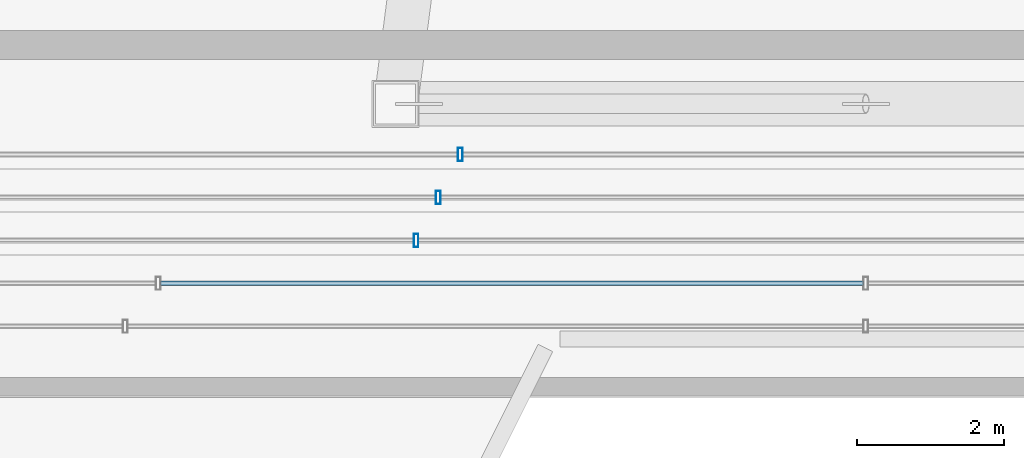
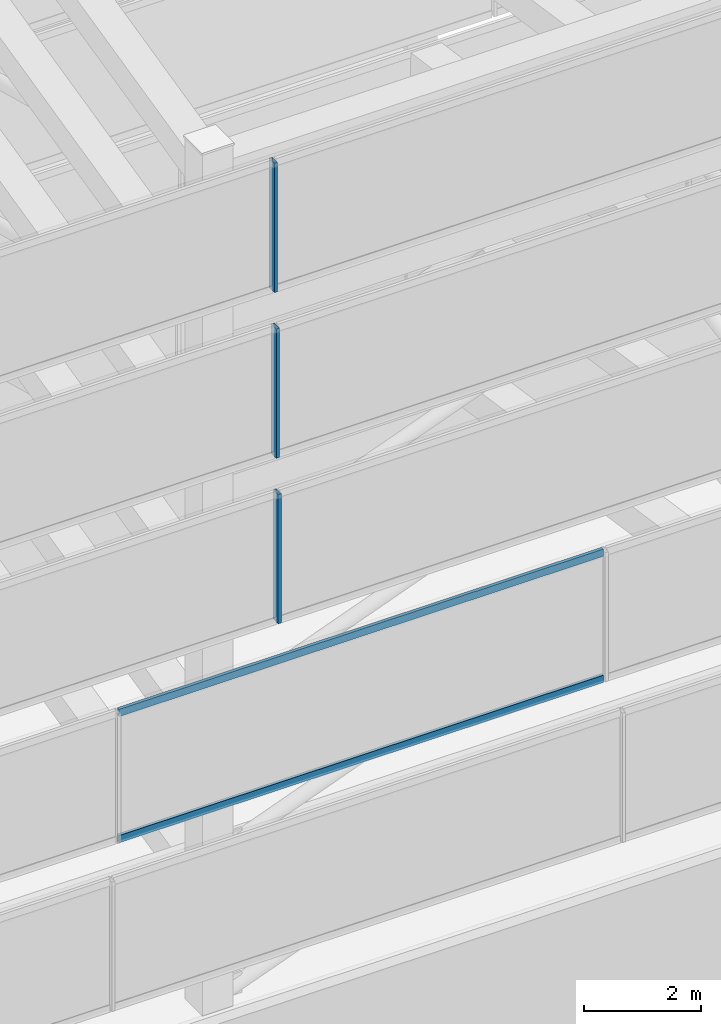
# One storey, part 5 of 29: 5 members, 4 elements without a shape of their own.
"""IFC4 building model written with IfcOpenShell, lengths in metres."""

from ifc_helpers import new_model, si_unit, direction, frame, origin, origin_2d, place, context, subcontext, project, spatial, hollow_rectangle, extrude, material, material_profile, profile_set, type_object, element, aggregate, save


model = new_model("IFC4")

# Units and contexts
model_context = context("Model", 3, precision=1e-05, world=origin(), true_north=direction((0.0, 1.0)))
body_context = subcontext(model_context, "Body", "Model", "MODEL_VIEW")
ifc_project = project(units=[si_unit("LENGTHUNIT", "METRE"), si_unit("AREAUNIT", "SQUARE_METRE"), si_unit("VOLUMEUNIT", "CUBIC_METRE"), si_unit("PLANEANGLEUNIT", "RADIAN"), si_unit("MASSUNIT", "GRAM", prefix="KILO")], contexts=[model_context])

# Site, building, storey
site_placement = place(None, origin())
site = spatial("IfcSite", under=ifc_project, at=site_placement, CompositionType="ELEMENT")
building_placement = place(site_placement, origin())
building = spatial("IfcBuilding", under=site, at=building_placement, Name="Saevonmaru Cultural Tower", CompositionType="ELEMENT")
storey_placement = place(building_placement, frame((0.0, 0.0, 327.60009765625)))
storey = spatial("IfcBuildingStorey", under=building, at=storey_placement, Name="RF", CompositionType="ELEMENT", Elevation=327.60009765625)

# Curtain wall, member
ifc_material = material(Name="Satin Bronze Anodised Aluminium", Category="aluminium")
curtain_wall_type = type_object("IfcCurtainWallType", Name="CW-TYP-B", PredefinedType="NOTDEFINED", material=ifc_material)
curtain_wall_1_placement = place(storey_placement, origin())
curtain_wall_1 = element("IfcCurtainWall", 1, at=curtain_wall_1_placement, inside=storey, type_object=curtain_wall_type, Name="RF Ziggurat Crown Tier 4 Bronze Louvre Screen 1", PredefinedType="NOTDEFINED")
ifc_material_profile_1 = material_profile(ifc_material, hollow_rectangle(XDim=0.06494140625, YDim=0.179931640625, WallThickness=0.00390625, at=origin_2d()), Name="ALU-MULL-180x65x4")
ifc_profile_set_1 = profile_set([ifc_material_profile_1], Name="Satin Bronze Anodised Aluminium")
member_type_1 = type_object("IfcMemberType", Name="ML-CW-180x65", PredefinedType="MULLION", material=ifc_profile_set_1)
member_1_placement = place(storey_placement, frame((23.877685546875, 40.5400390625, 9.0), z_axis=(0.0, 0.0, 1.0), x_axis=(1.0, 0.0, 0.0)))
member_1 = element("IfcMember", 2, at=member_1_placement, type_object=member_type_1, Name="CW-CROWN-T4-1 mullion 2", PredefinedType="MULLION", context=body_context, shape_type="SweptSolid", body=[
    extrude(hollow_rectangle(XDim=0.06494140625, YDim=0.179931640625, WallThickness=0.00390625, at=origin_2d()), origin(), (0.0, 0.0, 1.0), 2.699951171875),
])
aggregate(curtain_wall_1, [member_1])

curtain_wall_2_placement = place(storey_placement, origin())
curtain_wall_2 = element("IfcCurtainWall", 3, at=curtain_wall_2_placement, inside=storey, type_object=curtain_wall_type, Name="RF Ziggurat Crown Tier 5 Bronze Louvre Screen 1", PredefinedType="NOTDEFINED")
member_2_placement = place(storey_placement, frame((24.177734375, 41.125, 12.0), z_axis=(0.0, 0.0, 1.0), x_axis=(1.0, 0.0, 0.0)))
member_2 = element("IfcMember", 4, at=member_2_placement, type_object=member_type_1, Name="CW-CROWN-T5-1 mullion 2", PredefinedType="MULLION", context=body_context, shape_type="SweptSolid", body=[
    extrude(hollow_rectangle(XDim=0.06494140625, YDim=0.179931640625, WallThickness=0.00390625, at=origin_2d()), origin(), (0.0, 0.0, 1.0), 2.699951171875),
])
aggregate(curtain_wall_2, [member_2])

curtain_wall_3_placement = place(storey_placement, origin())
curtain_wall_3 = element("IfcCurtainWall", 5, at=curtain_wall_3_placement, inside=storey, type_object=curtain_wall_type, Name="RF Ziggurat Crown Tier 6 Bronze Louvre Screen 1", PredefinedType="NOTDEFINED")
member_3_placement = place(storey_placement, frame((24.477783203125, 41.7099609375, 15.0), z_axis=(0.0, 0.0, 1.0), x_axis=(1.0, 0.0, 0.0)))
member_3 = element("IfcMember", 6, at=member_3_placement, type_object=member_type_1, Name="CW-CROWN-T6-1 mullion 2", PredefinedType="MULLION", context=body_context, shape_type="SweptSolid", body=[
    extrude(hollow_rectangle(XDim=0.06494140625, YDim=0.179931640625, WallThickness=0.00390625, at=origin_2d()), origin(), (0.0, 0.0, 1.0), 2.699951171875),
])
aggregate(curtain_wall_3, [member_3])

# Curtain wall, members
curtain_wall_4_placement = place(storey_placement, origin())
curtain_wall_4 = element("IfcCurtainWall", 7, at=curtain_wall_4_placement, inside=storey, type_object=curtain_wall_type, Name="RF Ziggurat Crown Tier 3 Bronze Louvre Screen 1", PredefinedType="NOTDEFINED")
ifc_material_profile_2 = material_profile(ifc_material, hollow_rectangle(XDim=0.06494140625, YDim=0.14990234375, WallThickness=0.00390625, at=origin_2d()), Name="ALU-TRAN-150x65x4")
ifc_profile_set_2 = profile_set([ifc_material_profile_2], Name="Satin Bronze Anodised Aluminium")
member_type_2 = type_object("IfcMemberType", Name="TR-CW-150x65", PredefinedType="USERDEFINED", material=ifc_profile_set_2)
member_4_placement = place(storey_placement, frame((20.39892578125, 39.955078125, 6.032470703125), z_axis=(1.0, 0.0, 0.0), x_axis=(0.0, 1.0, 0.0)))
member_4 = element("IfcMember", 8, at=member_4_placement, type_object=member_type_2, Name="CW-CROWN-T3-1 transom 2.1", ObjectType="TRANSOM", PredefinedType="USERDEFINED", context=body_context, shape_type="SweptSolid", body=[
    extrude(hollow_rectangle(XDim=0.06494140625, YDim=0.14990234375, WallThickness=0.00390625, at=origin_2d()), origin(), (0.0, 0.0, 1.0), 9.568603515625),
])
member_5_placement = place(storey_placement, frame((20.39892578125, 39.955078125, 8.66748046875), z_axis=(1.0, 0.0, 0.0), x_axis=(0.0, 1.0, 0.0)))
member_5 = element("IfcMember", 9, at=member_5_placement, type_object=member_type_2, Name="CW-CROWN-T3-1 transom 2.2", ObjectType="TRANSOM", PredefinedType="USERDEFINED", context=body_context, shape_type="SweptSolid", body=[
    extrude(hollow_rectangle(XDim=0.06494140625, YDim=0.14990234375, WallThickness=0.00390625, at=origin_2d()), origin(), (0.0, 0.0, 1.0), 9.568603515625),
])
aggregate(curtain_wall_4, [member_4, member_5])

save(model, "model.ifc")
